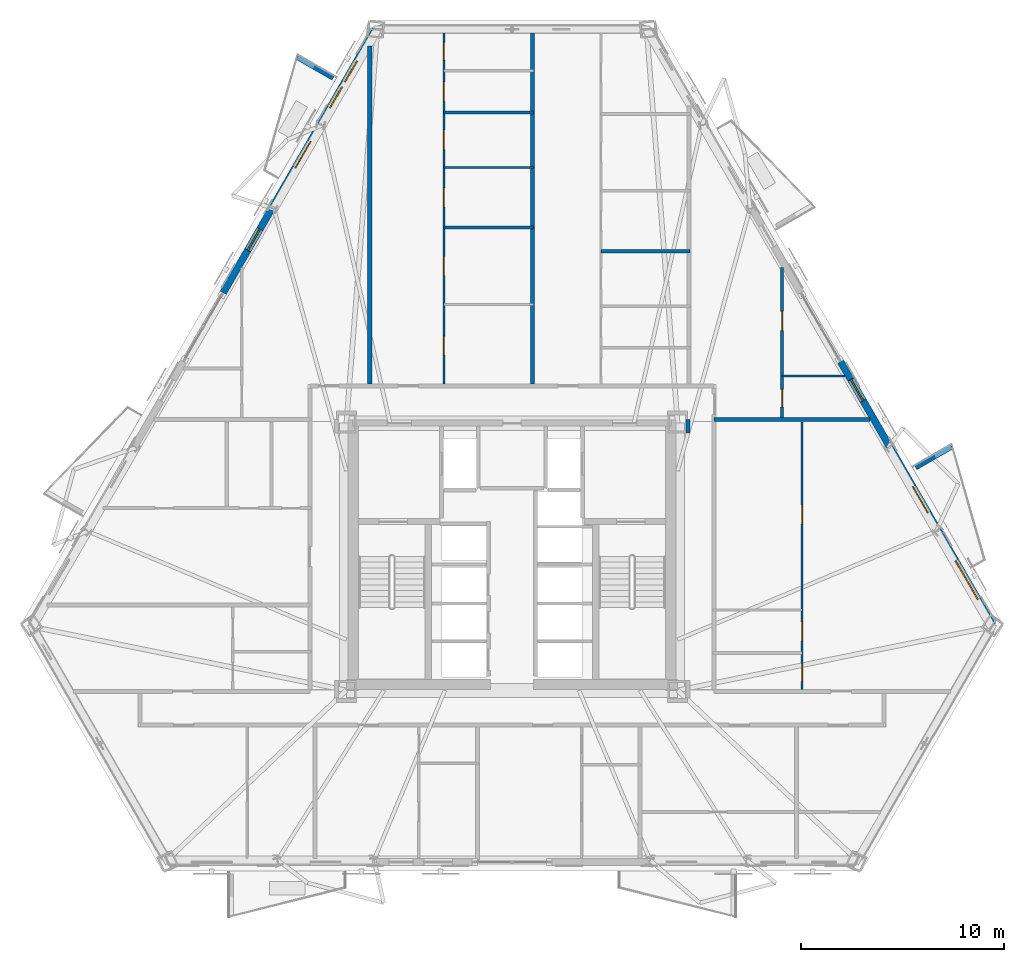
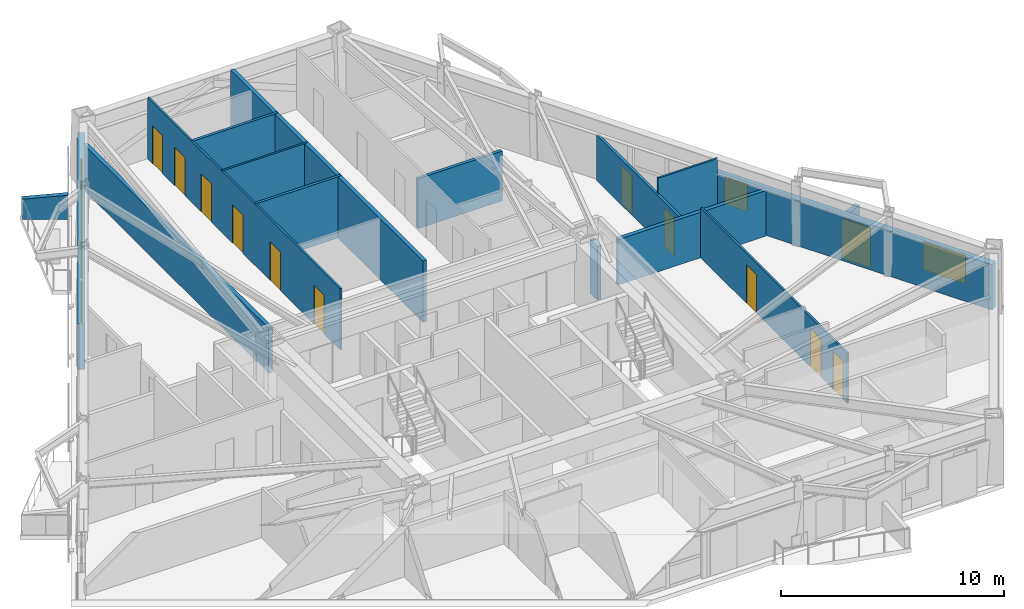
# One storey, part 12 of 17: 16 walls, 13 doors, 5 windows, 18 openings.
"""IFC4 building model written with IfcOpenShell, lengths in metres."""

from ifc_helpers import new_model, si_unit, direction, frame, frame_2d, origin, place, context, subcontext, project, spatial, polyline, rectangle, outline, extrude, material, layer, layer_set, type_object, element, fill, save


model = new_model("IFC4")

# Units and contexts
model_context = context("Model", 3, precision=1e-05, world=origin(), true_north=direction((0.0, 1.0)))
body_context = subcontext(model_context, "Body", "Model", "MODEL_VIEW")
ifc_project = project(units=[si_unit("LENGTHUNIT", "METRE"), si_unit("AREAUNIT", "SQUARE_METRE"), si_unit("VOLUMEUNIT", "CUBIC_METRE"), si_unit("PLANEANGLEUNIT", "RADIAN"), si_unit("MASSUNIT", "GRAM", prefix="KILO")], contexts=[model_context])

# Site, building, storey
site_placement = place(None, origin())
site = spatial("IfcSite", under=ifc_project, at=site_placement, CompositionType="ELEMENT")
building_placement = place(site_placement, origin())
building = spatial("IfcBuilding", under=site, at=building_placement, Name="Oramaril Tower", CompositionType="ELEMENT")
storey_placement = place(building_placement, frame((0.0, 0.0, 70.5)))
storey = spatial("IfcBuildingStorey", under=building, at=storey_placement, Name="L18", CompositionType="ELEMENT", Elevation=70.5)

# Wall, openings, door, windows
ifc_material_1 = material(Name="Warm Cream Limestone", Category="masonry")
ifc_layer_1 = layer(ifc_material_1, 0.340087890625)
ifc_layer_set_1 = layer_set([ifc_layer_1], Name="WT-EXT34")
wall_type_1 = type_object("IfcWallType", Name="WT-EXT34", PredefinedType="SOLIDWALL", material=ifc_layer_set_1)
wall_1_placement = place(storey_placement, frame((61.15234375, 14.211669921875, 0.0), z_axis=(0.0, 0.0, 1.0), x_axis=(-0.499999987774, 0.866025410843, 0.0)))
wall_1 = element("IfcWall", 1, at=wall_1_placement, inside=storey, type_object=wall_type_1, Name="L18 Tower Limestone Facade Wall 4L", PredefinedType="SOLIDWALL", context=body_context, shape_type="SweptSolid", body=[
    extrude(rectangle(XDim=14.9755859375, YDim=0.340087890625, at=frame_2d((7.48779296875, 0.0))), origin(), (0.0, 0.0, 1.0), 2.493896484375),
])
opening_1_placement = place(wall_1_placement, frame((6.369384765625, 0.0, 0.0)))
opening_1 = element("IfcOpeningElement", 2, at=opening_1_placement, cuts=wall_1, Name="Opening D-L18-BAL-NE1", PredefinedType="OPENING", context=body_context, shape_type="SweptSolid", body=[
    extrude(rectangle(XDim=1.5, YDim=2.199951171875, at=frame_2d((0.75, 1.10009765625))), frame((0.0, 0.169921875, 0.0), z_axis=(0.0, -1.0, 0.0), x_axis=(1.0, 0.0, 0.0)), (0.0, 0.0, 1.0), 0.340087890625),
])
opening_2_placement = place(wall_1_placement, frame((1.4580078125, 0.0, 0.85009765625)))
opening_2 = element("IfcOpeningElement", 3, at=opening_2_placement, cuts=wall_1, Name="Opening WN-04", PredefinedType="OPENING", context=body_context, shape_type="SweptSolid", body=[
    extrude(rectangle(XDim=2.199951171875, YDim=1.533935546875, at=frame_2d((1.10009765625, 0.76708984375))), frame((0.0, 0.169921875, 0.0), z_axis=(0.0, -1.0, 0.0), x_axis=(1.0, 0.0, 0.0)), (0.0, 0.0, 1.0), 0.340087890625),
])
opening_3_placement = place(wall_1_placement, frame((12.747802734375, 0.0, 0.85009765625)))
opening_3 = element("IfcOpeningElement", 4, at=opening_3_placement, cuts=wall_1, Name="Opening WN-09", PredefinedType="OPENING", context=body_context, shape_type="SweptSolid", body=[
    extrude(rectangle(XDim=1.199951171875, YDim=1.47998046875, at=frame_2d((0.60009765625, 0.739990234375))), frame((0.0, 0.169921875, 0.0), z_axis=(0.0, -1.0, 0.0), x_axis=(1.0, 0.0, 0.0)), (0.0, 0.0, 1.0), 0.340087890625),
])
ifc_material_2 = material(Name="Anodised Aluminium 6063-T6", Category="aluminium")
door_type_1 = type_object("IfcDoorType", Name="DT-BAL", OperationType="NOTDEFINED", PredefinedType="DOOR", material=ifc_material_2)
door_1_placement = place(opening_1_placement, origin())
door_1 = element("IfcDoor", 5, at=door_1_placement, inside=storey, type_object=door_type_1, Name="L18 Balcony Glazed Door L18-BAL-NE1", OperationType="SINGLE_SWING_LEFT", OverallHeight=2.199951171875, OverallWidth=1.5, PredefinedType="DOOR", context=body_context, shape_type="SweptSolid", body=[
    extrude(rectangle(XDim=1.5, YDim=2.199951171875, at=frame_2d((0.75, 1.10009765625))), frame((0.0, 0.02490234375, 0.0), z_axis=(0.0, -1.0, 0.0), x_axis=(1.0, 0.0, 0.0)), (0.0, 0.0, 1.0), 0.050048828125),
])
fill(opening_1, door_1)
ifc_material_3 = material(Name="Coastal Low-E Insulated Glass", Category="glass")
window_type_1 = type_object("IfcWindowType", Name="WNT-04", PartitioningType="SINGLE_PANEL", PredefinedType="WINDOW", material=ifc_material_3)
window_1_placement = place(opening_2_placement, origin())
window_1 = element("IfcWindow", 6, at=window_1_placement, inside=storey, type_object=window_type_1, Name="L18 Chicago Bay Window WN-04", OverallHeight=1.533935546875, OverallWidth=2.199951171875, PartitioningType="SINGLE_PANEL", PredefinedType="WINDOW", context=body_context, shape_type="SweptSolid", body=[
    extrude(rectangle(XDim=2.199951171875, YDim=1.533935546875, at=frame_2d((1.10009765625, 0.76708984375))), frame((0.0, 0.030029296875, 0.0), z_axis=(0.0, -1.0, 0.0), x_axis=(1.0, 0.0, 0.0)), (0.0, 0.0, 1.0), 0.06005859375),
])
fill(opening_2, window_1)
ifc_material_4 = material(Name="Coastal Low-E Insulated Glass", Category="glass")
window_type_2 = type_object("IfcWindowType", Name="WNT-09", PartitioningType="SINGLE_PANEL", PredefinedType="WINDOW", material=ifc_material_4)
window_2_placement = place(opening_3_placement, origin())
window_2 = element("IfcWindow", 7, at=window_2_placement, inside=storey, type_object=window_type_2, Name="L18 Chicago Bay Window WN-09", OverallHeight=1.47998046875, OverallWidth=1.199951171875, PartitioningType="SINGLE_PANEL", PredefinedType="WINDOW", context=body_context, shape_type="SweptSolid", body=[
    extrude(rectangle(XDim=1.199951171875, YDim=1.47998046875, at=frame_2d((0.60009765625, 0.739990234375))), frame((0.0, 0.030029296875, 0.0), z_axis=(0.0, -1.0, 0.0), x_axis=(1.0, 0.0, 0.0)), (0.0, 0.0, 1.0), 0.06005859375),
])
fill(opening_3, window_2)

wall_2_placement = place(storey_placement, frame((30.773193359375, 43.52783203125, 0.0), z_axis=(0.0, 0.0, 1.0), x_axis=(-0.499999987774, -0.866025410843, 0.0)))
wall_2 = element("IfcWall", 8, at=wall_2_placement, inside=storey, type_object=wall_type_1, Name="L18 Tower Limestone Facade Wall 6L", PredefinedType="SOLIDWALL", context=body_context, shape_type="SweptSolid", body=[
    extrude(rectangle(XDim=14.9755859375, YDim=0.340087890625, at=frame_2d((7.48779296875, 0.0))), origin(), (0.0, 0.0, 1.0), 2.493896484375),
])
opening_4_placement = place(wall_2_placement, frame((6.369384765625, 0.0, 0.0)))
opening_4 = element("IfcOpeningElement", 9, at=opening_4_placement, cuts=wall_2, Name="Opening D-L18-BAL-NW1", PredefinedType="OPENING", context=body_context, shape_type="SweptSolid", body=[
    extrude(rectangle(XDim=1.5, YDim=2.199951171875, at=frame_2d((0.75, 1.10009765625))), frame((0.0, 0.169921875, 0.0), z_axis=(0.0, -1.0, 0.0), x_axis=(1.0, 0.0, 0.0)), (0.0, 0.0, 1.0), 0.340087890625),
])
opening_5_placement = place(wall_2_placement, frame((3.268798828125, 0.0, 0.85009765625)))
opening_5 = element("IfcOpeningElement", 10, at=opening_5_placement, cuts=wall_2, Name="Opening WN-09", PredefinedType="OPENING", context=body_context, shape_type="SweptSolid", body=[
    extrude(rectangle(XDim=1.199951171875, YDim=1.47998046875, at=frame_2d((0.60009765625, 0.739990234375))), frame((0.0, 0.169921875, 0.0), z_axis=(0.0, -1.0, 0.0), x_axis=(1.0, 0.0, 0.0)), (0.0, 0.0, 1.0), 0.340087890625),
])
opening_6_placement = place(wall_2_placement, frame((11.352294921875, 0.0, 0.85009765625)))
opening_6 = element("IfcOpeningElement", 11, at=opening_6_placement, cuts=wall_2, Name="Opening WN-09", PredefinedType="OPENING", context=body_context, shape_type="SweptSolid", body=[
    extrude(rectangle(XDim=1.199951171875, YDim=1.47998046875, at=frame_2d((0.60009765625, 0.739990234375))), frame((0.0, 0.169921875, 0.0), z_axis=(0.0, -1.0, 0.0), x_axis=(1.0, 0.0, 0.0)), (0.0, 0.0, 1.0), 0.340087890625),
])
opening_7_placement = place(wall_2_placement, frame((1.7958984375, 0.0, 0.85009765625)))
opening_7 = element("IfcOpeningElement", 12, at=opening_7_placement, cuts=wall_2, Name="Opening WN-09", PredefinedType="OPENING", context=body_context, shape_type="SweptSolid", body=[
    extrude(rectangle(XDim=1.199951171875, YDim=1.47998046875, at=frame_2d((0.60009765625, 0.739990234375))), frame((0.0, 0.169921875, 0.0), z_axis=(0.0, -1.0, 0.0), x_axis=(1.0, 0.0, 0.0)), (0.0, 0.0, 1.0), 0.340087890625),
])
door_2_placement = place(opening_4_placement, origin())
door_2 = element("IfcDoor", 13, at=door_2_placement, inside=storey, type_object=door_type_1, Name="L18 Balcony Glazed Door L18-BAL-NW1", OperationType="SINGLE_SWING_LEFT", OverallHeight=2.199951171875, OverallWidth=1.5, PredefinedType="DOOR", context=body_context, shape_type="SweptSolid", body=[
    extrude(rectangle(XDim=1.5, YDim=2.199951171875, at=frame_2d((0.75, 1.10009765625))), frame((0.0, 0.02490234375, 0.0), z_axis=(0.0, -1.0, 0.0), x_axis=(1.0, 0.0, 0.0)), (0.0, 0.0, 1.0), 0.050048828125),
])
fill(opening_4, door_2)
window_3_placement = place(opening_5_placement, origin())
window_3 = element("IfcWindow", 14, at=window_3_placement, inside=storey, type_object=window_type_2, Name="L18 Chicago Bay Window WN-09", OverallHeight=1.47998046875, OverallWidth=1.199951171875, PartitioningType="SINGLE_PANEL", PredefinedType="WINDOW", context=body_context, shape_type="SweptSolid", body=[
    extrude(rectangle(XDim=1.199951171875, YDim=1.47998046875, at=frame_2d((0.60009765625, 0.739990234375))), frame((0.0, 0.030029296875, 0.0), z_axis=(0.0, -1.0, 0.0), x_axis=(1.0, 0.0, 0.0)), (0.0, 0.0, 1.0), 0.06005859375),
])
fill(opening_5, window_3)
window_4_placement = place(opening_6_placement, origin())
window_4 = element("IfcWindow", 15, at=window_4_placement, inside=storey, type_object=window_type_2, Name="L18 Chicago Bay Window WN-09", OverallHeight=1.47998046875, OverallWidth=1.199951171875, PartitioningType="SINGLE_PANEL", PredefinedType="WINDOW", context=body_context, shape_type="SweptSolid", body=[
    extrude(rectangle(XDim=1.199951171875, YDim=1.47998046875, at=frame_2d((0.60009765625, 0.739990234375))), frame((0.0, 0.030029296875, 0.0), z_axis=(0.0, -1.0, 0.0), x_axis=(1.0, 0.0, 0.0)), (0.0, 0.0, 1.0), 0.06005859375),
])
fill(opening_6, window_4)
window_5_placement = place(opening_7_placement, origin())
window_5 = element("IfcWindow", 16, at=window_5_placement, inside=storey, type_object=window_type_2, Name="L18 Chicago Bay Window WN-09", OverallHeight=1.47998046875, OverallWidth=1.199951171875, PartitioningType="SINGLE_PANEL", PredefinedType="WINDOW", context=body_context, shape_type="SweptSolid", body=[
    extrude(rectangle(XDim=1.199951171875, YDim=1.47998046875, at=frame_2d((0.60009765625, 0.739990234375))), frame((0.0, 0.030029296875, 0.0), z_axis=(0.0, -1.0, 0.0), x_axis=(1.0, 0.0, 0.0)), (0.0, 0.0, 1.0), 0.06005859375),
])
fill(opening_7, window_5)

# Walls
ifc_material_5 = material(Name="Concrete C40/50", Category="concrete")
ifc_layer_2 = layer(ifc_material_5, 0.22998046875)
ifc_layer_set_2 = layer_set([ifc_layer_2], Name="WT-PRP23")
wall_type_2 = type_object("IfcWallType", Name="WT-PRP23", PredefinedType="PARAPET", material=ifc_layer_set_2)
for number, where, z_axis, x_axis, name in (
    (17, (57.3681640625, 21.962158203125, 0.0), (0.0, 0.0, 1.0), (0.866012356593, 0.500022597718, 0.0), "L18 Trapezoidal Balcony Frame Cheek L18-BAL-NE1-R"),
    (18, (28.6982421875, 41.129638671875, 0.0), (0.0, 0.0, 1.0), (-0.866042246008, 0.499970827278, 0.0), "L18 Trapezoidal Balcony Frame Cheek L18-BAL-NW1-L"),
):
    element("IfcWall", number, at=place(storey_placement, frame(where, z_axis=z_axis, x_axis=x_axis)), inside=storey, type_object=wall_type_2, Name=name, PredefinedType="PARAPET", context=body_context, shape_type="SweptSolid", body=[
        extrude(outline(polyline([(0.0, 0.0), (2.0419921875, 0.0), (2.0419921875, 1.10009765625), (0.0, 1.320068359375), (0.0, 0.0)])), frame((0.0, 0.114990234375, 0.0), z_axis=(0.0, -1.0, 0.0), x_axis=(1.0, 0.0, 0.0)), (0.0, 0.0, 1.0), 0.22998046875),
    ])
ifc_material_6 = material(Name="Acoustic Gypsum Board Partition")
ifc_layer_3 = layer(ifc_material_6, 0.10009765625)
ifc_layer_set_3 = layer_set([ifc_layer_3], Name="WT-PT10")
wall_type_3 = type_object("IfcWallType", Name="WT-PT10", PredefinedType="PARTITIONING", material=ifc_layer_set_3)
wall_3_placement = place(storey_placement, frame((50.793212890625, 26.4599609375, 0.0), z_axis=(0.0, 0.0, 1.0), x_axis=(1.0, 0.0, 0.0)))
element("IfcWall", 19, at=wall_3_placement, inside=storey, type_object=wall_type_3, Name="L18 Interior Partition PT-10", PredefinedType="PARTITIONING", context=body_context, shape_type="SweptSolid", body=[
    extrude(rectangle(XDim=3.086669921875, YDim=0.10009765625, at=frame_2d((1.54345703125, 0.0))), origin(), (0.0, 0.0, 1.0), 3.360107421875),
])
wall_4_placement = place(storey_placement, frame((34.14990234375, 36.739990234375, 0.0), z_axis=(0.0, 0.0, 1.0), x_axis=(1.0, 0.0, 0.0)))
element("IfcWall", 20, at=wall_4_placement, inside=storey, type_object=wall_type_3, Name="L18 Interior Partition PT-10", PredefinedType="PARTITIONING", context=body_context, shape_type="SweptSolid", body=[
    extrude(rectangle(XDim=4.400146484375, YDim=0.10009765625, at=frame_2d((2.2001953125, 0.0))), origin(), (0.0, 0.0, 1.0), 3.360107421875),
])

# Wall, openings, doors
wall_5_placement = place(storey_placement, frame((34.14990234375, 26.073974609375, 0.0), z_axis=(0.0, 0.0, 1.0), x_axis=(0.0, 1.0, 0.0)))
wall_5 = element("IfcWall", 21, at=wall_5_placement, inside=storey, type_object=wall_type_3, Name="L18 Interior Partition PT-10", PredefinedType="PARTITIONING", context=body_context, shape_type="SweptSolid", body=[
    extrude(rectangle(XDim=17.27978515625, YDim=0.10009765625, at=frame_2d((8.639892578125, 0.0))), origin(), (0.0, 0.0, 1.0), 3.360107421875),
])
opening_8_placement = place(wall_5_placement, frame((1.4306640625, 0.0, 0.0)))
opening_8 = element("IfcOpeningElement", 22, at=opening_8_placement, cuts=wall_5, Name="Opening D-L18-24", PredefinedType="OPENING", context=body_context, shape_type="SweptSolid", body=[
    extrude(rectangle(XDim=0.919921875, YDim=2.1201171875, at=frame_2d((0.4599609375, 1.06005859375))), frame((0.0, 0.050048828125, 0.0), z_axis=(0.0, -1.0, 0.0), x_axis=(1.0, 0.0, 0.0)), (0.0, 0.0, 1.0), 0.10009765625),
])
opening_9_placement = place(wall_5_placement, frame((5.344970703125, 0.0, 0.0)))
opening_9 = element("IfcOpeningElement", 23, at=opening_9_placement, cuts=wall_5, Name="Opening D-L18-25", PredefinedType="OPENING", context=body_context, shape_type="SweptSolid", body=[
    extrude(rectangle(XDim=0.919921875, YDim=2.1201171875, at=frame_2d((0.4599609375, 1.06005859375))), frame((0.0, 0.050048828125, 0.0), z_axis=(0.0, -1.0, 0.0), x_axis=(1.0, 0.0, 0.0)), (0.0, 0.0, 1.0), 0.10009765625),
])
opening_10_placement = place(wall_5_placement, frame((8.70458984375, 0.0, 0.0)))
opening_10 = element("IfcOpeningElement", 24, at=opening_10_placement, cuts=wall_5, Name="Opening D-L18-26", PredefinedType="OPENING", context=body_context, shape_type="SweptSolid", body=[
    extrude(rectangle(XDim=0.949951171875, YDim=2.10009765625, at=frame_2d((0.47509765625, 1.050048828125))), frame((0.0, 0.050048828125, 0.0), z_axis=(0.0, -1.0, 0.0), x_axis=(1.0, 0.0, 0.0)), (0.0, 0.0, 1.0), 0.10009765625),
])
opening_11_placement = place(wall_5_placement, frame((11.5390625, 0.0, 0.0)))
opening_11 = element("IfcOpeningElement", 25, at=opening_11_placement, cuts=wall_5, Name="Opening D-L18-27", PredefinedType="OPENING", context=body_context, shape_type="SweptSolid", body=[
    extrude(rectangle(XDim=0.949951171875, YDim=2.10009765625, at=frame_2d((0.47509765625, 1.050048828125))), frame((0.0, 0.050048828125, 0.0), z_axis=(0.0, -1.0, 0.0), x_axis=(1.0, 0.0, 0.0)), (0.0, 0.0, 1.0), 0.10009765625),
])
opening_12_placement = place(wall_5_placement, frame((13.913818359375, 0.0, 0.0)))
opening_12 = element("IfcOpeningElement", 26, at=opening_12_placement, cuts=wall_5, Name="Opening D-L18-28", PredefinedType="OPENING", context=body_context, shape_type="SweptSolid", body=[
    extrude(rectangle(XDim=0.949951171875, YDim=2.10009765625, at=frame_2d((0.47509765625, 1.050048828125))), frame((0.0, 0.050048828125, 0.0), z_axis=(0.0, -1.0, 0.0), x_axis=(1.0, 0.0, 0.0)), (0.0, 0.0, 1.0), 0.10009765625),
])
opening_13_placement = place(wall_5_placement, frame((15.933837890625, 0.0, 0.0)))
opening_13 = element("IfcOpeningElement", 27, at=opening_13_placement, cuts=wall_5, Name="Opening D-L18-29", PredefinedType="OPENING", context=body_context, shape_type="SweptSolid", body=[
    extrude(rectangle(XDim=0.8798828125, YDim=2.080078125, at=frame_2d((0.43994140625, 1.0400390625))), frame((0.0, 0.050048828125, 0.0), z_axis=(0.0, -1.0, 0.0), x_axis=(1.0, 0.0, 0.0)), (0.0, 0.0, 1.0), 0.10009765625),
])
ifc_material_7 = material(Name="FSC Brazilian Freijo Hardwood", Category="wood")
door_type_2 = type_object("IfcDoorType", Name="DT-BATH", OperationType="NOTDEFINED", PredefinedType="DOOR", material=ifc_material_7)
door_3_placement = place(opening_13_placement, origin())
door_3 = element("IfcDoor", 28, at=door_3_placement, inside=storey, type_object=door_type_2, Name="L18 Flat L18-U10 Bathroom Door D-L18-29", OperationType="SINGLE_SWING_RIGHT", OverallHeight=2.080078125, OverallWidth=0.8798828125, PredefinedType="DOOR", context=body_context, shape_type="SweptSolid", body=[
    extrude(rectangle(XDim=0.8798828125, YDim=2.080078125, at=frame_2d((0.43994140625, 1.0400390625))), frame((0.0, 0.02490234375, 0.0), z_axis=(0.0, -1.0, 0.0), x_axis=(1.0, 0.0, 0.0)), (0.0, 0.0, 1.0), 0.050048828125),
])
fill(opening_13, door_3)
ifc_material_8 = material(Name="FSC Brazilian Freijo Hardwood", Category="wood")
door_type_3 = type_object("IfcDoorType", Name="DT-BED", OperationType="NOTDEFINED", PredefinedType="DOOR", material=ifc_material_8)
door_4_placement = place(opening_8_placement, origin())
door_4 = element("IfcDoor", 29, at=door_4_placement, inside=storey, type_object=door_type_3, Name="L18 Flat L18-U10 Master Bedroom Door D-L18-24", OperationType="SINGLE_SWING_LEFT", OverallHeight=2.1201171875, OverallWidth=0.919921875, PredefinedType="DOOR", context=body_context, shape_type="SweptSolid", body=[
    extrude(rectangle(XDim=0.919921875, YDim=2.1201171875, at=frame_2d((0.4599609375, 1.06005859375))), frame((0.0, 0.02490234375, 0.0), z_axis=(0.0, -1.0, 0.0), x_axis=(1.0, 0.0, 0.0)), (0.0, 0.0, 1.0), 0.050048828125),
])
fill(opening_8, door_4)
door_5_placement = place(opening_9_placement, origin())
door_5 = element("IfcDoor", 30, at=door_5_placement, inside=storey, type_object=door_type_3, Name="L18 Flat L18-U10 Bedroom 2 Door D-L18-25", OperationType="SINGLE_SWING_RIGHT", OverallHeight=2.1201171875, OverallWidth=0.919921875, PredefinedType="DOOR", context=body_context, shape_type="SweptSolid", body=[
    extrude(rectangle(XDim=0.919921875, YDim=2.1201171875, at=frame_2d((0.4599609375, 1.06005859375))), frame((0.0, 0.02490234375, 0.0), z_axis=(0.0, -1.0, 0.0), x_axis=(1.0, 0.0, 0.0)), (0.0, 0.0, 1.0), 0.050048828125),
])
fill(opening_9, door_5)
ifc_material_9 = material(Name="FSC Brazilian Freijo Hardwood", Category="wood")
door_type_4 = type_object("IfcDoorType", Name="DT-STDY", OperationType="NOTDEFINED", PredefinedType="DOOR", material=ifc_material_9)
door_6_placement = place(opening_10_placement, origin())
door_6 = element("IfcDoor", 31, at=door_6_placement, inside=storey, type_object=door_type_4, Name="L18 Flat L18-U10 Home Office Door D-L18-26", OperationType="SINGLE_SWING_LEFT", OverallHeight=2.10009765625, OverallWidth=0.949951171875, PredefinedType="DOOR", context=body_context, shape_type="SweptSolid", body=[
    extrude(rectangle(XDim=0.949951171875, YDim=2.10009765625, at=frame_2d((0.47509765625, 1.050048828125))), frame((0.0, 0.02490234375, 0.0), z_axis=(0.0, -1.0, 0.0), x_axis=(1.0, 0.0, 0.0)), (0.0, 0.0, 1.0), 0.050048828125),
])
fill(opening_10, door_6)
door_7_placement = place(opening_11_placement, origin())
door_7 = element("IfcDoor", 32, at=door_7_placement, inside=storey, type_object=door_type_4, Name="L18 Flat L18-U10 Private Dining Room Door D-L18-27", OperationType="SINGLE_SWING_RIGHT", OverallHeight=2.10009765625, OverallWidth=0.949951171875, PredefinedType="DOOR", context=body_context, shape_type="SweptSolid", body=[
    extrude(rectangle(XDim=0.949951171875, YDim=2.10009765625, at=frame_2d((0.47509765625, 1.050048828125))), frame((0.0, 0.02490234375, 0.0), z_axis=(0.0, -1.0, 0.0), x_axis=(1.0, 0.0, 0.0)), (0.0, 0.0, 1.0), 0.050048828125),
])
fill(opening_11, door_7)
door_8_placement = place(opening_12_placement, origin())
door_8 = element("IfcDoor", 33, at=door_8_placement, inside=storey, type_object=door_type_4, Name="L18 Flat L18-U10 Kitchen Door D-L18-28", OperationType="SINGLE_SWING_LEFT", OverallHeight=2.10009765625, OverallWidth=0.949951171875, PredefinedType="DOOR", context=body_context, shape_type="SweptSolid", body=[
    extrude(rectangle(XDim=0.949951171875, YDim=2.10009765625, at=frame_2d((0.47509765625, 1.050048828125))), frame((0.0, 0.02490234375, 0.0), z_axis=(0.0, -1.0, 0.0), x_axis=(1.0, 0.0, 0.0)), (0.0, 0.0, 1.0), 0.050048828125),
])
fill(opening_12, door_8)

wall_6_placement = place(storey_placement, frame((51.780029296875, 11.053955078125, 0.0), z_axis=(0.0, 0.0, 1.0), x_axis=(0.0, 1.0, 0.0)))
wall_6 = element("IfcWall", 34, at=wall_6_placement, inside=storey, type_object=wall_type_3, Name="L18 Interior Partition PT-10", PredefinedType="PARTITIONING", context=body_context, shape_type="SweptSolid", body=[
    extrude(rectangle(XDim=13.162109375, YDim=0.10009765625, at=frame_2d((6.5810546875, 0.0))), origin(), (0.0, 0.0, 1.0), 2.738037109375),
])
opening_14_placement = place(wall_6_placement, frame((0.385986328125, 0.0, 0.0)))
opening_14 = element("IfcOpeningElement", 35, at=opening_14_placement, cuts=wall_6, Name="Opening D-L18-41", PredefinedType="OPENING", context=body_context, shape_type="SweptSolid", body=[
    extrude(rectangle(XDim=0.8798828125, YDim=2.080078125, at=frame_2d((0.43994140625, 1.0400390625))), frame((0.0, 0.050048828125, 0.0), z_axis=(0.0, -1.0, 0.0), x_axis=(1.0, 0.0, 0.0)), (0.0, 0.0, 1.0), 0.10009765625),
])
opening_15_placement = place(wall_6_placement, frame((2.36767578125, 0.0, 0.0)))
opening_15 = element("IfcOpeningElement", 36, at=opening_15_placement, cuts=wall_6, Name="Opening D-L18-42", PredefinedType="OPENING", context=body_context, shape_type="SweptSolid", body=[
    extrude(rectangle(XDim=0.949951171875, YDim=2.10009765625, at=frame_2d((0.47509765625, 1.050048828125))), frame((0.0, 0.050048828125, 0.0), z_axis=(0.0, -1.0, 0.0), x_axis=(1.0, 0.0, 0.0)), (0.0, 0.0, 1.0), 0.10009765625),
])
opening_16_placement = place(wall_6_placement, frame((8.1376953125, 0.0, 0.0)))
opening_16 = element("IfcOpeningElement", 37, at=opening_16_placement, cuts=wall_6, Name="Opening D-L18-43", PredefinedType="OPENING", context=body_context, shape_type="SweptSolid", body=[
    extrude(rectangle(XDim=0.919921875, YDim=2.1201171875, at=frame_2d((0.4599609375, 1.06005859375))), frame((0.0, 0.050048828125, 0.0), z_axis=(0.0, -1.0, 0.0), x_axis=(1.0, 0.0, 0.0)), (0.0, 0.0, 1.0), 0.10009765625),
])
door_9_placement = place(opening_14_placement, origin())
door_9 = element("IfcDoor", 38, at=door_9_placement, inside=storey, type_object=door_type_2, Name="L18 Flat L18-U8 Bathroom Door D-L18-41", OperationType="SINGLE_SWING_RIGHT", OverallHeight=2.080078125, OverallWidth=0.8798828125, PredefinedType="DOOR", context=body_context, shape_type="SweptSolid", body=[
    extrude(rectangle(XDim=0.8798828125, YDim=2.080078125, at=frame_2d((0.43994140625, 1.0400390625))), frame((0.0, 0.02490234375, 0.0), z_axis=(0.0, -1.0, 0.0), x_axis=(1.0, 0.0, 0.0)), (0.0, 0.0, 1.0), 0.050048828125),
])
fill(opening_14, door_9)
door_10_placement = place(opening_16_placement, origin())
door_10 = element("IfcDoor", 39, at=door_10_placement, inside=storey, type_object=door_type_3, Name="L18 Flat L18-U8 Master Bedroom Door D-L18-43", OperationType="SINGLE_SWING_RIGHT", OverallHeight=2.1201171875, OverallWidth=0.919921875, PredefinedType="DOOR", context=body_context, shape_type="SweptSolid", body=[
    extrude(rectangle(XDim=0.919921875, YDim=2.1201171875, at=frame_2d((0.4599609375, 1.06005859375))), frame((0.0, 0.02490234375, 0.0), z_axis=(0.0, -1.0, 0.0), x_axis=(1.0, 0.0, 0.0)), (0.0, 0.0, 1.0), 0.050048828125),
])
fill(opening_16, door_10)
door_11_placement = place(opening_15_placement, origin())
door_11 = element("IfcDoor", 40, at=door_11_placement, inside=storey, type_object=door_type_4, Name="L18 Flat L18-U8 Kitchen Door D-L18-42", OperationType="SINGLE_SWING_LEFT", OverallHeight=2.10009765625, OverallWidth=0.949951171875, PredefinedType="DOOR", context=body_context, shape_type="SweptSolid", body=[
    extrude(rectangle(XDim=0.949951171875, YDim=2.10009765625, at=frame_2d((0.47509765625, 1.050048828125))), frame((0.0, 0.02490234375, 0.0), z_axis=(0.0, -1.0, 0.0), x_axis=(1.0, 0.0, 0.0)), (0.0, 0.0, 1.0), 0.050048828125),
])
fill(opening_15, door_11)

# Walls
ifc_material_10 = material(Name="Acoustic Gypsum Board Partition")
ifc_layer_4 = layer(ifc_material_10, 0.139892578125)
ifc_layer_set_4 = layer_set([ifc_layer_4], Name="WT-PT14")
wall_type_4 = type_object("IfcWallType", Name="WT-PT14", PredefinedType="PARTITIONING", material=ifc_layer_set_4)
for number, where, z_axis, x_axis, name in (
    (41, (34.14990234375, 33.77001953125, 0.0), (0.0, 0.0, 1.0), (1.0, 0.0, 0.0), "L18 Interior Partition PT-14"),
    (42, (34.14990234375, 39.43994140625, 0.0), (0.0, 0.0, 1.0), (1.0, 0.0, 0.0), "L18 Interior Partition PT-14"),
):
    element("IfcWall", number, at=place(storey_placement, frame(where, z_axis=z_axis, x_axis=x_axis)), inside=storey, type_object=wall_type_4, Name=name, PredefinedType="PARTITIONING", context=body_context, shape_type="SweptSolid", body=[
        extrude(rectangle(XDim=4.400146484375, YDim=0.139892578125, at=frame_2d((2.2001953125, 0.0))), origin(), (0.0, 0.0, 1.0), 3.360107421875),
    ])

# Wall, openings, doors
wall_7_placement = place(storey_placement, frame((50.7900390625, 24.424072265625, 0.0), z_axis=(0.0, 0.0, 1.0), x_axis=(0.0, 1.0, 0.0)))
wall_7 = element("IfcWall", 43, at=wall_7_placement, inside=storey, type_object=wall_type_4, Name="L18 Interior Partition PT-14", PredefinedType="PARTITIONING", context=body_context, shape_type="SweptSolid", body=[
    extrude(rectangle(XDim=7.387939453125, YDim=0.139892578125, at=frame_2d((3.69384765625, 0.0))), origin(), (0.0, 0.0, 1.0), 2.493896484375),
])
opening_17_placement = place(wall_7_placement, frame((0.510986328125, 0.0, 0.0)))
opening_17 = element("IfcOpeningElement", 44, at=opening_17_placement, cuts=wall_7, Name="Opening D-L18-39", PredefinedType="OPENING", context=body_context, shape_type="SweptSolid", body=[
    extrude(rectangle(XDim=0.8798828125, YDim=2.080078125, at=frame_2d((0.43994140625, 1.0400390625))), frame((0.0, 0.06982421875, 0.0), z_axis=(0.0, -1.0, 0.0), x_axis=(1.0, 0.0, 0.0)), (0.0, 0.0, 1.0), 0.139892578125),
])
opening_18_placement = place(wall_7_placement, frame((4.273193359375, 0.0, 0.0)))
opening_18 = element("IfcOpeningElement", 45, at=opening_18_placement, cuts=wall_7, Name="Opening D-L18-40", PredefinedType="OPENING", context=body_context, shape_type="SweptSolid", body=[
    extrude(rectangle(XDim=0.949951171875, YDim=2.10009765625, at=frame_2d((0.47509765625, 1.050048828125))), frame((0.0, 0.06982421875, 0.0), z_axis=(0.0, -1.0, 0.0), x_axis=(1.0, 0.0, 0.0)), (0.0, 0.0, 1.0), 0.139892578125),
])
door_12_placement = place(opening_17_placement, origin())
door_12 = element("IfcDoor", 46, at=door_12_placement, inside=storey, type_object=door_type_2, Name="L18 Flat L18-U12 Bathroom Door D-L18-39", OperationType="SINGLE_SWING_RIGHT", OverallHeight=2.080078125, OverallWidth=0.8798828125, PredefinedType="DOOR", context=body_context, shape_type="SweptSolid", body=[
    extrude(rectangle(XDim=0.8798828125, YDim=2.080078125, at=frame_2d((0.43994140625, 1.0400390625))), frame((0.0, 0.02490234375, 0.0), z_axis=(0.0, -1.0, 0.0), x_axis=(1.0, 0.0, 0.0)), (0.0, 0.0, 1.0), 0.050048828125),
])
fill(opening_17, door_12)
door_13_placement = place(opening_18_placement, origin())
door_13 = element("IfcDoor", 47, at=door_13_placement, inside=storey, type_object=door_type_4, Name="L18 Flat L18-U12 Kitchen Door D-L18-40", OperationType="SINGLE_SWING_LEFT", OverallHeight=2.10009765625, OverallWidth=0.949951171875, PredefinedType="DOOR", context=body_context, shape_type="SweptSolid", body=[
    extrude(rectangle(XDim=0.949951171875, YDim=2.10009765625, at=frame_2d((0.47509765625, 1.050048828125))), frame((0.0, 0.02490234375, 0.0), z_axis=(0.0, -1.0, 0.0), x_axis=(1.0, 0.0, 0.0)), (0.0, 0.0, 1.0), 0.050048828125),
])
fill(opening_18, door_13)

# Walls
ifc_material_11 = material(Name="Acoustic Gypsum Board Partition")
ifc_layer_5 = layer(ifc_material_11, 0.159912109375)
ifc_layer_set_5 = layer_set([ifc_layer_5], Name="WT-PT16")
wall_type_5 = type_object("IfcWallType", Name="WT-PT16", PredefinedType="PARTITIONING", material=ifc_layer_set_5)
wall_8_placement = place(storey_placement, frame((41.8701171875, 32.610107421875, 0.0), z_axis=(0.0, 0.0, 1.0), x_axis=(1.0, 0.0, 0.0)))
element("IfcWall", 48, at=wall_8_placement, inside=storey, type_object=wall_type_5, Name="L18 Interior Partition PT-16", PredefinedType="PARTITIONING", context=body_context, shape_type="SweptSolid", body=[
    extrude(rectangle(XDim=4.3798828125, YDim=0.159912109375, at=frame_2d((2.18994140625, 0.0))), origin(), (0.0, 0.0, 1.0), 2.738037109375),
])
ifc_material_12 = material(Name="Autoclaved Cellular Concrete Block", Category="concrete")
ifc_layer_6 = layer(ifc_material_12, 0.199951171875)
ifc_layer_set_6 = layer_set([ifc_layer_6], Name="WT-PT20")
wall_type_6 = type_object("IfcWallType", Name="WT-PT20", PredefinedType="PARTITIONING", material=ifc_layer_set_6)
wall_9_placement = place(storey_placement, frame((47.449951171875, 24.320068359375, 0.0), z_axis=(0.0, 0.0, 1.0), x_axis=(1.0, 0.0, 0.0)))
element("IfcWall", 49, at=wall_9_placement, inside=storey, type_object=wall_type_6, Name="L18 Interior Partition PT-20", PredefinedType="PARTITIONING", context=body_context, shape_type="SweptSolid", body=[
    extrude(rectangle(XDim=7.66552734375, YDim=0.199951171875, at=frame_2d((3.832763671875, 0.0))), origin(), (0.0, 0.0, 1.0), 2.493896484375),
])
wall_10_placement = place(storey_placement, frame((30.5, 26.073974609375, 0.0), z_axis=(0.0, 0.0, 1.0), x_axis=(0.0, 1.0, 0.0)))
element("IfcWall", 50, at=wall_10_placement, inside=storey, type_object=wall_type_6, Name="L18 Interior Partition PT-20", PredefinedType="PARTITIONING", context=body_context, shape_type="SweptSolid", body=[
    extrude(rectangle(XDim=16.63232421875, YDim=0.199951171875, at=frame_2d((8.316162109375, 0.0))), origin(), (0.0, 0.0, 1.0), 2.493896484375),
])
wall_11_placement = place(storey_placement, frame((38.5, 26.073974609375, 0.0), z_axis=(0.0, 0.0, 1.0), x_axis=(0.0, 1.0, 0.0)))
element("IfcWall", 51, at=wall_11_placement, inside=storey, type_object=wall_type_6, Name="L18 Interior Partition PT-20", PredefinedType="PARTITIONING", context=body_context, shape_type="SweptSolid", body=[
    extrude(rectangle(XDim=17.27978515625, YDim=0.199951171875, at=frame_2d((8.639892578125, 0.0))), origin(), (0.0, 0.0, 1.0), 3.360107421875),
])
wall_12_placement = place(storey_placement, frame((46.14990234375, 23.655029296875, 0.0), z_axis=(0.0, 0.0, 1.0), x_axis=(0.0, 1.0, 0.0)))
element("IfcWall", 52, at=wall_12_placement, inside=storey, type_object=wall_type_6, Name="L18 Interior Partition PT-20", PredefinedType="PARTITIONING", context=body_context, shape_type="SweptSolid", body=[
    extrude(rectangle(XDim=0.6650390625, YDim=0.199951171875, at=frame_2d((0.33251953125, 0.0))), origin(), (0.0, 0.0, 1.0), 2.946044921875),
])

save(model, "model.ifc")
